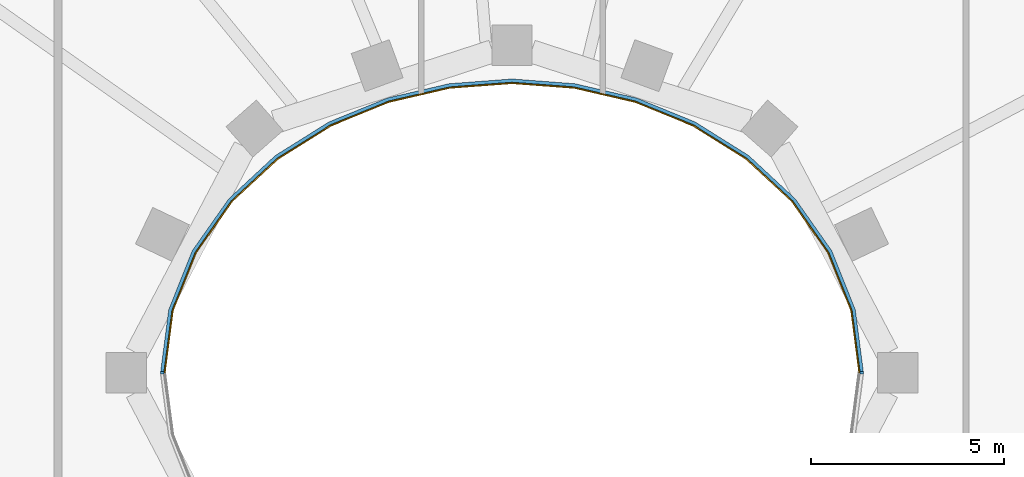
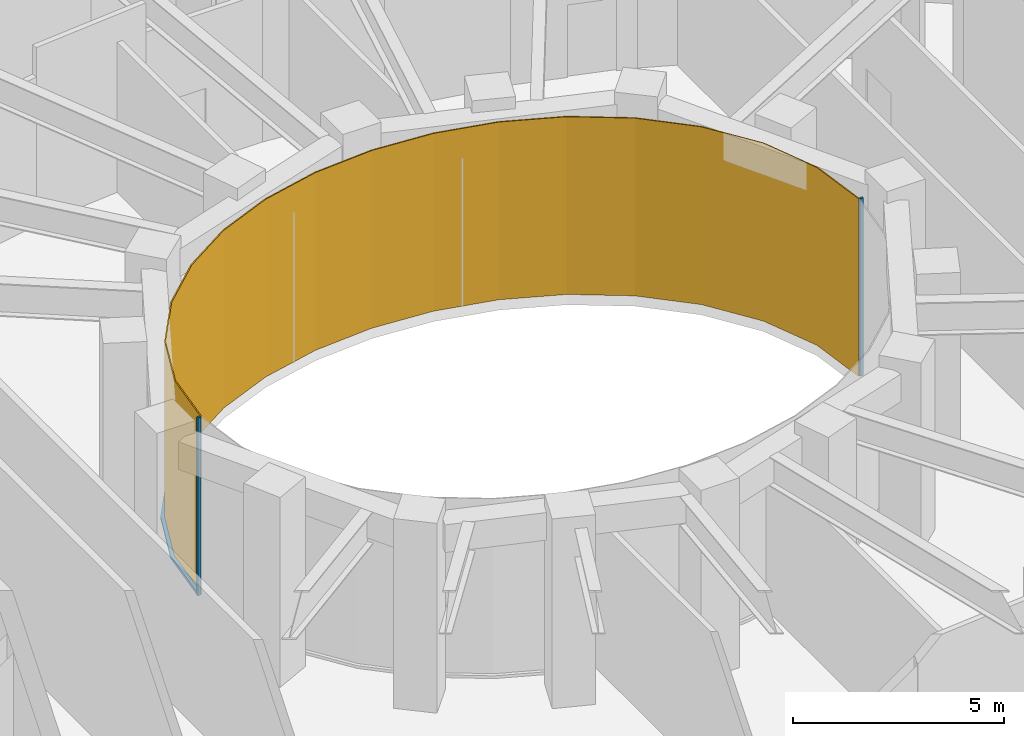
# One storey, part 17 of 25: 3 members, 1 curtain wall.
"""IFC4 building model written with IfcOpenShell, lengths in metres."""

from ifc_helpers import new_model, si_unit, direction, frame, origin, origin_2d, place, context, subcontext, project, spatial, polyline, rectangle, outline, extrude, material, layer, layer_set, material_profile, profile_set, type_object, element, aggregate, save


model = new_model("IFC4")

# Units and contexts
model_context = context("Model", 3, precision=1e-05, world=origin(), true_north=direction((0.0, 1.0)))
body_context = subcontext(model_context, "Body", "Model", "MODEL_VIEW")
ifc_project = project(units=[si_unit("LENGTHUNIT", "METRE"), si_unit("AREAUNIT", "SQUARE_METRE"), si_unit("VOLUMEUNIT", "CUBIC_METRE"), si_unit("PLANEANGLEUNIT", "RADIAN"), si_unit("MASSUNIT", "GRAM", prefix="KILO")], contexts=[model_context])

# Member
ifc_material_1 = material(Name="Steel S355 fire-resisting frame", Category="steel")
ifc_material_profile = material_profile(ifc_material_1, rectangle(XDim=0.090087890625, YDim=0.06005859375, at=origin_2d()), Name="90x60")
ifc_profile_set = profile_set([ifc_material_profile], Name="Steel S355 fire-resisting frame")
member_type_1 = type_object("IfcMemberType", Name="ENV-MULLION-W-90", PredefinedType="MULLION", material=ifc_profile_set)
site_placement = place(None, origin())
building_placement = place(site_placement, origin())
storey_placement = place(building_placement, frame((0.0, 0.0, 198.0)))
member_1_placement = place(storey_placement, frame((9.076904296875, 0.0, 0.0), z_axis=(0.0, 0.0, 1.0), x_axis=(1.0, 0.0, 0.0)))
member_1 = element("IfcMember", 1, at=member_1_placement, type_object=member_type_1, Name="Mullion W well vertex 01", PredefinedType="MULLION", context=body_context, shape_type="SweptSolid", body=[
    extrude(rectangle(XDim=0.090087890625, YDim=0.06005859375, at=origin_2d()), origin(), (0.0, 0.0, 1.0), 5.14990234375),
])

member_2_placement = place(storey_placement, frame((-9.076904296875, 0.0, 0.0), z_axis=(0.0, 0.0, 1.0), x_axis=(-1.0, 0.0, 0.0)))
member_2 = element("IfcMember", 2, at=member_2_placement, type_object=member_type_1, Name="Mullion W well vertex 17", PredefinedType="MULLION", context=body_context, shape_type="SweptSolid", body=[
    extrude(rectangle(XDim=0.090087890625, YDim=0.06005859375, at=origin_2d()), origin(), (0.0, 0.0, 1.0), 5.14990234375),
])

ifc_material_2 = material(Name="Steel S355 fire-resisting frame", Category="steel")
member_type_2 = type_object("IfcMemberType", Name="ENV-TRANSOM-W", PredefinedType="USERDEFINED", material=ifc_material_2)
member_3_placement = place(storey_placement, origin())
member_3 = element("IfcMember", 3, at=member_3_placement, type_object=member_type_2, Name="Transom W well 01-17", ObjectType="TRANSOM", PredefinedType="USERDEFINED", context=body_context, shape_type="SweptSolid", body=[
    extrude(outline(polyline([(9.119384765625, 0.02783203125), (8.910400390625, 1.63623046875), (8.29833984375, 3.167236328125), (7.35107421875, 4.5146484375), (6.1455078125, 5.6337890625), (4.75341796875, 6.50634765625), (3.233642578125, 7.127685546875), (1.635498046875, 7.498779296875), (0.0, 7.622314453125), (-1.635498046875, 7.498779296875), (-3.233642578125, 7.127685546875), (-4.75341796875, 6.50634765625), (-6.1455078125, 5.6337890625), (-7.35107421875, 4.5146484375), (-8.29833984375, 3.167236328125), (-8.910400390625, 1.63623046875), (-9.119384765625, 0.02783203125), (-9.02880859375, 0.02783203125), (-8.822509765625, 1.61328125), (-8.21875, 3.124267578125), (-7.282958984375, 4.455078125), (-6.090576171875, 5.56201171875), (-4.712158203125, 6.426025390625), (-3.206298828125, 7.04150390625), (-1.621826171875, 7.40966796875), (0.0, 7.531982421875), (1.621826171875, 7.40966796875), (3.206298828125, 7.04150390625), (4.712158203125, 6.426025390625), (6.090576171875, 5.56201171875), (7.282958984375, 4.455078125), (8.21875, 3.124267578125), (8.822509765625, 1.61328125), (9.02880859375, 0.02783203125), (9.119384765625, 0.02783203125)])), origin(), (0.0, 0.0, 1.0), 0.080078125),
])

# Site, building, storey
site = spatial("IfcSite", under=ifc_project, at=site_placement, CompositionType="ELEMENT")
building = spatial("IfcBuilding", under=site, at=building_placement, Name="Noorbagh Ring Tower", CompositionType="ELEMENT")
storey = spatial("IfcBuildingStorey", under=building, at=storey_placement, Name="L46", CompositionType="ELEMENT", Elevation=198.0)

# Curtain wall
ifc_material_3 = material(Name="Glass fire-resisting E60 laminated", Category="glass")
ifc_layer = layer(ifc_material_3, 0.031982421875)
ifc_layer_set = layer_set([ifc_layer], Name="Glass fire-resisting E60 laminated")
curtain_wall_type = type_object("IfcCurtainWallType", Name="ENV-CW-W", PredefinedType="NOTDEFINED", material=ifc_layer_set)
curtain_wall_placement = place(storey_placement, origin())
curtain_wall = element("IfcCurtainWall", 4, at=curtain_wall_placement, inside=storey, type_object=curtain_wall_type, Name="Curtain wall W W01", PredefinedType="NOTDEFINED", context=body_context, shape_type="SweptSolid", body=[
    extrude(outline(polyline([(9.0322265625, 0.0), (8.822509765625, 1.61328125), (8.21875, 3.124267578125), (7.282958984375, 4.455078125), (6.090576171875, 5.56201171875), (4.712158203125, 6.426025390625), (3.206298828125, 7.04150390625), (1.621826171875, 7.40966796875), (0.0, 7.531982421875), (-1.621826171875, 7.40966796875), (-3.206298828125, 7.04150390625), (-4.712158203125, 6.426025390625), (-6.090576171875, 5.56201171875), (-7.282958984375, 4.455078125), (-8.21875, 3.124267578125), (-8.822509765625, 1.61328125), (-9.0322265625, 0.0), (-9.0, 0.0), (-8.79150390625, 1.605224609375), (-8.1904296875, 3.10888671875), (-7.2587890625, 4.43408203125), (-6.071044921875, 5.53662109375), (-4.697509765625, 6.3974609375), (-3.196533203125, 7.010986328125), (-1.6171875, 7.3779296875), (0.0, 7.5), (1.6171875, 7.3779296875), (3.196533203125, 7.010986328125), (4.697509765625, 6.3974609375), (6.071044921875, 5.53662109375), (7.2587890625, 4.43408203125), (8.1904296875, 3.10888671875), (8.79150390625, 1.605224609375), (9.0, 0.0), (9.0322265625, 0.0)])), origin(), (0.0, 0.0, 1.0), 5.14990234375),
])

aggregate(curtain_wall, [member_1, member_2, member_3])

save(model, "model.ifc")
